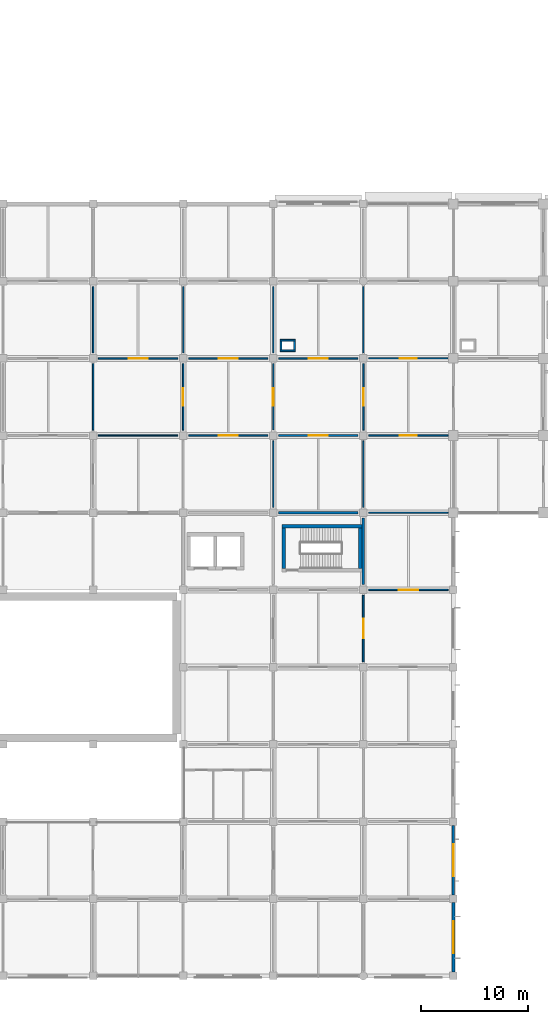
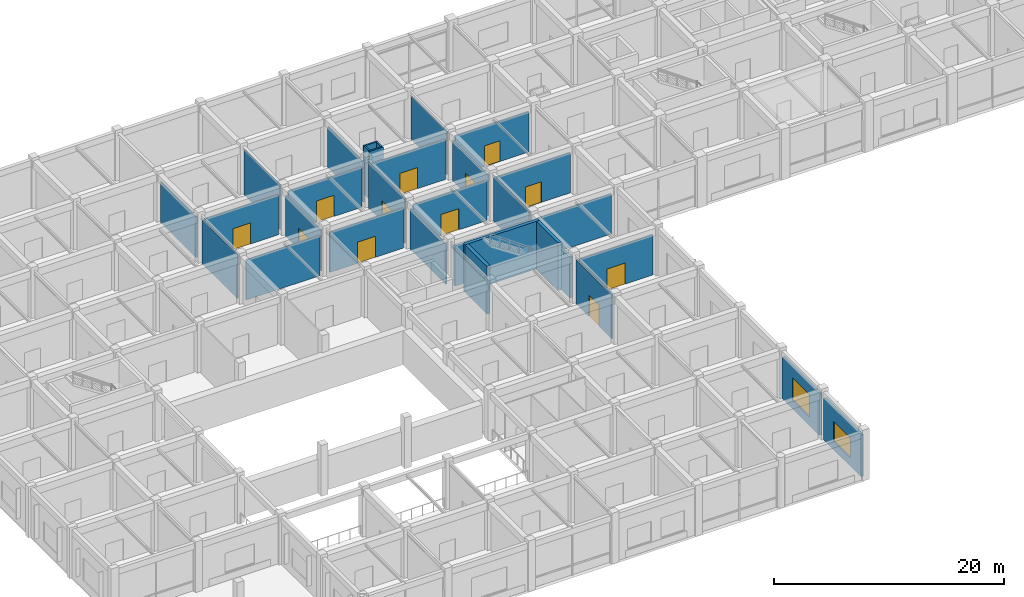
# One storey, part 22 of 41: 32 walls, 12 doors, 2 windows, 14 openings.
"""IFC4 building model written with IfcOpenShell, lengths in metres."""

from ifc_helpers import new_model, si_unit, derived_unit, direction, frame, frame_2d, origin, place, context, subcontext, project, spatial, rectangle, extrude, material, layer, layer_set, type_object, element, fill, save


model = new_model("IFC4")

# Units and contexts
model_context = context("Model", 3, precision=1e-05, world=origin(), true_north=direction((0.0, 1.0)))
body_context = subcontext(model_context, "Body", "Model", "MODEL_VIEW")
ifc_project = project(units=[si_unit("LENGTHUNIT", "METRE"), si_unit("AREAUNIT", "SQUARE_METRE"), si_unit("VOLUMEUNIT", "CUBIC_METRE"), si_unit("PLANEANGLEUNIT", "RADIAN"), si_unit("MASSUNIT", "GRAM", prefix="KILO"), derived_unit("THERMALTRANSMITTANCEUNIT", [(si_unit("MASSUNIT", "GRAM", prefix="KILO"), 1), (si_unit("TIMEUNIT", "SECOND"), -3), (si_unit("THERMODYNAMICTEMPERATUREUNIT", "KELVIN"), -1)])], contexts=[model_context])

# Site, building, storey
site_placement = place(None, origin())
site = spatial("IfcSite", under=ifc_project, at=site_placement, CompositionType="ELEMENT")
building_placement = place(site_placement, origin())
building = spatial("IfcBuilding", under=site, at=building_placement, Name="Veldstrom Oceanarium and Marine Research Institute", CompositionType="ELEMENT")
storey_placement = place(building_placement, frame((0.0, 0.0, 6.0)))
storey = spatial("IfcBuildingStorey", under=building, at=storey_placement, Name="L01", CompositionType="ELEMENT", Elevation=6.0)

# Wall, opening, window
ifc_material_1 = material(Name="Masonry Cavity Wall", Category="masonry")
ifc_layer_1 = layer(ifc_material_1, 0.27001953125)
ifc_layer_set_1 = layer_set([ifc_layer_1], Name="ARC-WAL-EW3")
wall_type_1 = type_object("IfcWallType", Name="ARC-WAL-EW3", PredefinedType="SOLIDWALL", material=ifc_layer_set_1)
wall_1_placement = place(storey_placement, frame((67.199951171875, 0.35009765625, 0.0), z_axis=(0.0, 0.0, 1.0), x_axis=(0.0, 1.0, 0.0)))
wall_1 = element("IfcWall", 1, at=wall_1_placement, inside=storey, type_object=wall_type_1, Name="Exterior Facade Wall EW3 L01-084", PredefinedType="SOLIDWALL", context=body_context, shape_type="SweptSolid", body=[
    extrude(rectangle(XDim=6.5, YDim=0.27001953125, at=frame_2d((3.25, 0.0))), origin(), (0.0, 0.0, 1.0), 4.419921875),
])
opening_1_placement = place(wall_1_placement, frame((1.75, 0.0, 0.89990234375)))
opening_1 = element("IfcOpeningElement", 2, at=opening_1_placement, cuts=wall_1, Name="Opening W07", PredefinedType="OPENING", context=body_context, shape_type="SweptSolid", body=[
    extrude(rectangle(XDim=3.0, YDim=2.10009765625, at=frame_2d((1.5, 1.050048828125))), frame((0.0, 0.14501953125, 0.0), z_axis=(0.0, -1.0, 0.0), x_axis=(1.0, 0.0, 0.0)), (0.0, 0.0, 1.0), 0.2900390625),
])
ifc_material_2 = material(Name="Double Glazed Low-E IGU", Category="glass")
window_type_1 = type_object("IfcWindowType", Name="ARC-WIN-W07", PartitioningType="SINGLE_PANEL", PredefinedType="WINDOW", material=ifc_material_2)
window_1_placement = place(opening_1_placement, origin())
window_1 = element("IfcWindow", 3, at=window_1_placement, inside=storey, type_object=window_type_1, Name="Facade Window W07 L01-0053", OverallHeight=2.10009765625, OverallWidth=3.0, PartitioningType="SINGLE_PANEL", PredefinedType="WINDOW", context=body_context, shape_type="SweptSolid", body=[
    extrude(rectangle(XDim=3.0, YDim=2.10009765625, at=frame_2d((1.5, 1.050048828125))), frame((0.0, 0.030029296875, 0.0), z_axis=(0.0, -1.0, 0.0), x_axis=(1.0, 0.0, 0.0)), (0.0, 0.0, 1.0), 0.06005859375),
])
fill(opening_1, window_1)

ifc_material_3 = material(Name="Masonry Cavity Wall", Category="masonry")
ifc_layer_2 = layer(ifc_material_3, 0.25)
ifc_layer_set_2 = layer_set([ifc_layer_2], Name="ARC-WAL-EW5")
wall_type_2 = type_object("IfcWallType", Name="ARC-WAL-EW5", PredefinedType="SOLIDWALL", material=ifc_layer_set_2)
wall_2_placement = place(storey_placement, frame((67.199951171875, 7.550048828125, 0.0), z_axis=(0.0, 0.0, 1.0), x_axis=(0.0, 1.0, 0.0)))
wall_2 = element("IfcWall", 4, at=wall_2_placement, inside=storey, type_object=wall_type_2, Name="Exterior Facade Wall EW5 L01-085", PredefinedType="SOLIDWALL", context=body_context, shape_type="SweptSolid", body=[
    extrude(rectangle(XDim=6.5, YDim=0.25, at=frame_2d((3.25, 0.0))), origin(), (0.0, 0.0, 1.0), 4.419921875),
])
opening_2_placement = place(wall_2_placement, frame((1.75, 0.0, 0.89990234375)))
opening_2 = element("IfcOpeningElement", 5, at=opening_2_placement, cuts=wall_2, Name="Opening W12", PredefinedType="OPENING", context=body_context, shape_type="SweptSolid", body=[
    extrude(rectangle(XDim=3.0, YDim=2.39990234375, at=frame_2d((1.5, 1.199951171875))), frame((0.0, 0.135009765625, 0.0), z_axis=(0.0, -1.0, 0.0), x_axis=(1.0, 0.0, 0.0)), (0.0, 0.0, 1.0), 0.27001953125),
])
ifc_material_4 = material(Name="Double Glazed Low-E IGU", Category="glass")
window_type_2 = type_object("IfcWindowType", Name="ARC-WIN-W12", PartitioningType="SINGLE_PANEL", PredefinedType="WINDOW", material=ifc_material_4)
window_2_placement = place(opening_2_placement, origin())
window_2 = element("IfcWindow", 6, at=window_2_placement, inside=storey, type_object=window_type_2, Name="Facade Window W12 L01-0054", OverallHeight=2.39990234375, OverallWidth=3.0, PartitioningType="SINGLE_PANEL", PredefinedType="WINDOW", context=body_context, shape_type="SweptSolid", body=[
    extrude(rectangle(XDim=3.0, YDim=2.39990234375, at=frame_2d((1.5, 1.199951171875))), frame((0.0, 0.030029296875, 0.0), z_axis=(0.0, -1.0, 0.0), x_axis=(1.0, 0.0, 0.0)), (0.0, 0.0, 1.0), 0.06005859375),
])
fill(opening_2, window_2)

# Walls
ifc_material_5 = material(Name="Masonry Fire Compartment Wall", Category="masonry")
ifc_layer_3 = layer(ifc_material_5, 0.22998046875)
ifc_layer_set_3 = layer_set([ifc_layer_3], Name="ARC-WAL-PT1")
wall_type_3 = type_object("IfcWallType", Name="ARC-WAL-PT1", PredefinedType="PARTITIONING", material=ifc_layer_set_3)
wall_3_placement = place(storey_placement, frame((58.800048828125, 36.5, 0.0), z_axis=(0.0, 0.0, 1.0), x_axis=(0.0, 1.0, 0.0)))
element("IfcWall", 7, at=wall_3_placement, inside=storey, type_object=wall_type_3, Name="Interior Partition PT1 L01-0921", PredefinedType="PARTITIONING", context=body_context, shape_type="SweptSolid", body=[
    extrude(rectangle(XDim=6.199951171875, YDim=0.22998046875, at=frame_2d((3.10009765625, 0.0))), origin(), (0.0, 0.0, 1.0), 4.320068359375),
])
wall_4_placement = place(storey_placement, frame((50.89990234375, 43.199951171875, 0.0), z_axis=(0.0, 0.0, 1.0), x_axis=(1.0, 0.0, 0.0)))
element("IfcWall", 8, at=wall_4_placement, inside=storey, type_object=wall_type_3, Name="Interior Partition PT1 L01-0922", PredefinedType="PARTITIONING", context=body_context, shape_type="SweptSolid", body=[
    extrude(rectangle(XDim=7.400146484375, YDim=0.22998046875, at=frame_2d((3.7001953125, 0.0))), origin(), (0.0, 0.0, 1.0), 4.27001953125),
])

# Wall, opening, door
ifc_material_6 = material(Name="Drywall Corridor Partition", Category="gypsum")
ifc_layer_4 = layer(ifc_material_6, 0.155029296875)
ifc_layer_set_4 = layer_set([ifc_layer_4], Name="ARC-WAL-PT4")
wall_type_4 = type_object("IfcWallType", Name="ARC-WAL-PT4", PredefinedType="PARTITIONING", material=ifc_layer_set_4)
wall_5_placement = place(storey_placement, frame((50.39990234375, 50.89990234375, 0.0), z_axis=(0.0, 0.0, 1.0), x_axis=(0.0, 1.0, 0.0)))
wall_5 = element("IfcWall", 9, at=wall_5_placement, inside=storey, type_object=wall_type_4, Name="Interior Partition PT4 L01-0906", PredefinedType="PARTITIONING", context=body_context, shape_type="SweptSolid", body=[
    extrude(rectangle(XDim=6.2001953125, YDim=0.155029296875, at=frame_2d((3.10009765625, 0.0))), origin(), (0.0, 0.0, 1.0), 4.780029296875),
])
opening_3_placement = place(wall_5_placement, frame((2.300048828125, 0.0, 0.0)))
opening_3 = element("IfcOpeningElement", 10, at=opening_3_placement, cuts=wall_5, Name="Opening D-L01-523", PredefinedType="OPENING", context=body_context, shape_type="SweptSolid", body=[
    extrude(rectangle(XDim=1.60009765625, YDim=2.199951171875, at=frame_2d((0.800048828125, 1.10009765625))), frame((0.0, 0.08740234375, 0.0), z_axis=(0.0, -1.0, 0.0), x_axis=(1.0, 0.0, 0.0)), (0.0, 0.0, 1.0), 0.175048828125),
])
ifc_material_7 = material(Name="Acoustic Timber Corridor Door", Category="wood")
door_type_1 = type_object("IfcDoorType", Name="ARC-DOR-ID02", OperationType="DOUBLE_DOOR_SINGLE_SWING", PredefinedType="DOOR", material=ifc_material_7)
door_1_placement = place(opening_3_placement, origin())
door_1 = element("IfcDoor", 11, at=door_1_placement, inside=storey, type_object=door_type_1, Name="Interior Door D-L01-523", OperationType="DOUBLE_DOOR_SINGLE_SWING", OverallHeight=2.199951171875, OverallWidth=1.60009765625, PredefinedType="DOOR", context=body_context, shape_type="SweptSolid", body=[
    extrude(rectangle(XDim=1.60009765625, YDim=2.199951171875, at=frame_2d((0.800048828125, 1.10009765625))), frame((0.0, 0.02490234375, 0.0), z_axis=(0.0, -1.0, 0.0), x_axis=(1.0, 0.0, 0.0)), (0.0, 0.0, 1.0), 0.050048828125),
])
fill(opening_3, door_1)

wall_6_placement = place(storey_placement, frame((42.5, 57.60009765625, 0.0), z_axis=(0.0, 0.0, 1.0), x_axis=(1.0, 0.0, 0.0)))
wall_6 = element("IfcWall", 12, at=wall_6_placement, inside=storey, type_object=wall_type_4, Name="Interior Partition PT4 L01-0907", PredefinedType="PARTITIONING", context=body_context, shape_type="SweptSolid", body=[
    extrude(rectangle(XDim=7.39990234375, YDim=0.155029296875, at=frame_2d((3.699951171875, 0.0))), origin(), (0.0, 0.0, 1.0), 4.27001953125),
])
opening_4_placement = place(wall_6_placement, frame((2.800048828125, 0.0, 0.0)))
opening_4 = element("IfcOpeningElement", 13, at=opening_4_placement, cuts=wall_6, Name="Opening D-L01-524", PredefinedType="OPENING", context=body_context, shape_type="SweptSolid", body=[
    extrude(rectangle(XDim=1.800048828125, YDim=2.25, at=frame_2d((0.89990234375, 1.125))), frame((0.0, 0.08740234375, 0.0), z_axis=(0.0, -1.0, 0.0), x_axis=(1.0, 0.0, 0.0)), (0.0, 0.0, 1.0), 0.175048828125),
])
ifc_material_8 = material(Name="Acoustic Timber Gallery Door", Category="wood")
door_type_2 = type_object("IfcDoorType", Name="ARC-DOR-ID01", OperationType="DOUBLE_DOOR_SINGLE_SWING", PredefinedType="DOOR", material=ifc_material_8)
door_2_placement = place(opening_4_placement, frame((1.800048828125, 0.0, 0.0), z_axis=(0.0, 0.0, 1.0), x_axis=(-1.0, 0.0, 0.0)))
door_2 = element("IfcDoor", 14, at=door_2_placement, inside=storey, type_object=door_type_2, Name="Interior Door D-L01-524", OperationType="DOUBLE_DOOR_SINGLE_SWING", OverallHeight=2.25, OverallWidth=1.800048828125, PredefinedType="DOOR", context=body_context, shape_type="SweptSolid", body=[
    extrude(rectangle(XDim=1.800048828125, YDim=2.25, at=frame_2d((0.89990234375, 1.125))), frame((0.0, 0.02490234375, 0.0), z_axis=(0.0, -1.0, 0.0), x_axis=(1.0, 0.0, 0.0)), (0.0, 0.0, 1.0), 0.050048828125),
])
fill(opening_4, door_2)

wall_7_placement = place(storey_placement, frame((58.800048828125, 29.300048828125, 0.0), z_axis=(0.0, 0.0, 1.0), x_axis=(0.0, 1.0, 0.0)))
wall_7 = element("IfcWall", 15, at=wall_7_placement, inside=storey, type_object=wall_type_4, Name="Interior Partition PT4 L01-0919", PredefinedType="PARTITIONING", context=body_context, shape_type="SweptSolid", body=[
    extrude(rectangle(XDim=6.199951171875, YDim=0.155029296875, at=frame_2d((3.10009765625, 0.0))), origin(), (0.0, 0.0, 1.0), 4.669921875),
])
opening_5_placement = place(wall_7_placement, frame((2.199951171875, 0.0, 0.0)))
opening_5 = element("IfcOpeningElement", 16, at=opening_5_placement, cuts=wall_7, Name="Opening D-L01-530", PredefinedType="OPENING", context=body_context, shape_type="SweptSolid", body=[
    extrude(rectangle(XDim=1.800048828125, YDim=2.25, at=frame_2d((0.89990234375, 1.125))), frame((0.0, 0.08740234375, 0.0), z_axis=(0.0, -1.0, 0.0), x_axis=(1.0, 0.0, 0.0)), (0.0, 0.0, 1.0), 0.175048828125),
])
door_3_placement = place(opening_5_placement, origin())
door_3 = element("IfcDoor", 17, at=door_3_placement, inside=storey, type_object=door_type_2, Name="Interior Door D-L01-530", OperationType="DOUBLE_DOOR_SINGLE_SWING", OverallHeight=2.25, OverallWidth=1.800048828125, PredefinedType="DOOR", context=body_context, shape_type="SweptSolid", body=[
    extrude(rectangle(XDim=1.800048828125, YDim=2.25, at=frame_2d((0.89990234375, 1.125))), frame((0.0, 0.02490234375, 0.0), z_axis=(0.0, -1.0, 0.0), x_axis=(1.0, 0.0, 0.0)), (0.0, 0.0, 1.0), 0.050048828125),
])
fill(opening_5, door_3)

wall_8_placement = place(storey_placement, frame((50.89990234375, 50.39990234375, 0.0), z_axis=(0.0, 0.0, 1.0), x_axis=(1.0, 0.0, 0.0)))
wall_8 = element("IfcWall", 18, at=wall_8_placement, inside=storey, type_object=wall_type_4, Name="Interior Partition PT4 L01-0924", PredefinedType="PARTITIONING", context=body_context, shape_type="SweptSolid", body=[
    extrude(rectangle(XDim=7.400146484375, YDim=0.155029296875, at=frame_2d((3.7001953125, 0.0))), origin(), (0.0, 0.0, 1.0), 4.27001953125),
])
opening_6_placement = place(wall_8_placement, frame((2.800048828125, 0.0, 0.0)))
opening_6 = element("IfcOpeningElement", 19, at=opening_6_placement, cuts=wall_8, Name="Opening D-L01-532", PredefinedType="OPENING", context=body_context, shape_type="SweptSolid", body=[
    extrude(rectangle(XDim=1.800048828125, YDim=2.25, at=frame_2d((0.89990234375, 1.125))), frame((0.0, 0.08740234375, 0.0), z_axis=(0.0, -1.0, 0.0), x_axis=(1.0, 0.0, 0.0)), (0.0, 0.0, 1.0), 0.175048828125),
])
door_4_placement = place(opening_6_placement, frame((1.800048828125, 0.0, 0.0), z_axis=(0.0, 0.0, 1.0), x_axis=(-1.0, 0.0, 0.0)))
door_4 = element("IfcDoor", 20, at=door_4_placement, inside=storey, type_object=door_type_2, Name="Interior Door D-L01-532", OperationType="DOUBLE_DOOR_SINGLE_SWING", OverallHeight=2.25, OverallWidth=1.800048828125, PredefinedType="DOOR", context=body_context, shape_type="SweptSolid", body=[
    extrude(rectangle(XDim=1.800048828125, YDim=2.25, at=frame_2d((0.89990234375, 1.125))), frame((0.0, 0.02490234375, 0.0), z_axis=(0.0, -1.0, 0.0), x_axis=(1.0, 0.0, 0.0)), (0.0, 0.0, 1.0), 0.050048828125),
])
fill(opening_6, door_4)

wall_9_placement = place(storey_placement, frame((59.300048828125, 57.60009765625, 0.0), z_axis=(0.0, 0.0, 1.0), x_axis=(1.0, 0.0, 0.0)))
wall_9 = element("IfcWall", 21, at=wall_9_placement, inside=storey, type_object=wall_type_4, Name="Interior Partition PT4 L01-0939", PredefinedType="PARTITIONING", context=body_context, shape_type="SweptSolid", body=[
    extrude(rectangle(XDim=7.39990234375, YDim=0.155029296875, at=frame_2d((3.699951171875, 0.0))), origin(), (0.0, 0.0, 1.0), 4.27001953125),
])
opening_7_placement = place(wall_9_placement, frame((2.89990234375, 0.0, 0.0)))
opening_7 = element("IfcOpeningElement", 22, at=opening_7_placement, cuts=wall_9, Name="Opening D-L01-543", PredefinedType="OPENING", context=body_context, shape_type="SweptSolid", body=[
    extrude(rectangle(XDim=1.60009765625, YDim=2.199951171875, at=frame_2d((0.800048828125, 1.10009765625))), frame((0.0, 0.08740234375, 0.0), z_axis=(0.0, -1.0, 0.0), x_axis=(1.0, 0.0, 0.0)), (0.0, 0.0, 1.0), 0.175048828125),
])
door_5_placement = place(opening_7_placement, frame((1.60009765625, 0.0, 0.0), z_axis=(0.0, 0.0, 1.0), x_axis=(-1.0, 0.0, 0.0)))
door_5 = element("IfcDoor", 23, at=door_5_placement, inside=storey, type_object=door_type_1, Name="Interior Door D-L01-543", OperationType="DOUBLE_DOOR_SINGLE_SWING", OverallHeight=2.199951171875, OverallWidth=1.60009765625, PredefinedType="DOOR", context=body_context, shape_type="SweptSolid", body=[
    extrude(rectangle(XDim=1.60009765625, YDim=2.199951171875, at=frame_2d((0.800048828125, 1.10009765625))), frame((0.0, 0.02490234375, 0.0), z_axis=(0.0, -1.0, 0.0), x_axis=(1.0, 0.0, 0.0)), (0.0, 0.0, 1.0), 0.050048828125),
])
fill(opening_7, door_5)

ifc_material_9 = material(Name="Moisture-Resistant Wet-Area Partition", Category="masonry")
ifc_layer_5 = layer(ifc_material_9, 0.139892578125)
ifc_layer_set_5 = layer_set([ifc_layer_5], Name="ARC-WAL-PT5")
wall_type_5 = type_object("IfcWallType", Name="ARC-WAL-PT5", PredefinedType="PARTITIONING", material=ifc_layer_set_5)
wall_10_placement = place(storey_placement, frame((42.0, 50.89990234375, 0.0), z_axis=(0.0, 0.0, 1.0), x_axis=(0.0, 1.0, 0.0)))
wall_10 = element("IfcWall", 24, at=wall_10_placement, inside=storey, type_object=wall_type_5, Name="Interior Partition PT5 L01-0887", PredefinedType="PARTITIONING", context=body_context, shape_type="SweptSolid", body=[
    extrude(rectangle(XDim=6.2001953125, YDim=0.139892578125, at=frame_2d((3.10009765625, 0.0))), origin(), (0.0, 0.0, 1.0), 4.320068359375),
])
opening_8_placement = place(wall_10_placement, frame((2.300048828125, 0.0, 0.0)))
opening_8 = element("IfcOpeningElement", 25, at=opening_8_placement, cuts=wall_10, Name="Opening D-L01-513", PredefinedType="OPENING", context=body_context, shape_type="SweptSolid", body=[
    extrude(rectangle(XDim=1.60009765625, YDim=2.199951171875, at=frame_2d((0.800048828125, 1.10009765625))), frame((0.0, 0.079833984375, 0.0), z_axis=(0.0, -1.0, 0.0), x_axis=(1.0, 0.0, 0.0)), (0.0, 0.0, 1.0), 0.159912109375),
])
door_6_placement = place(opening_8_placement, frame((1.60009765625, 0.0, 0.0), z_axis=(0.0, 0.0, 1.0), x_axis=(-1.0, 0.0, 0.0)))
door_6 = element("IfcDoor", 26, at=door_6_placement, inside=storey, type_object=door_type_1, Name="Interior Door D-L01-513", OperationType="DOUBLE_DOOR_SINGLE_SWING", OverallHeight=2.199951171875, OverallWidth=1.60009765625, PredefinedType="DOOR", context=body_context, shape_type="SweptSolid", body=[
    extrude(rectangle(XDim=1.60009765625, YDim=2.199951171875, at=frame_2d((0.800048828125, 1.10009765625))), frame((0.0, 0.02490234375, 0.0), z_axis=(0.0, -1.0, 0.0), x_axis=(1.0, 0.0, 0.0)), (0.0, 0.0, 1.0), 0.050048828125),
])
fill(opening_8, door_6)

wall_11_placement = place(storey_placement, frame((34.10009765625, 57.60009765625, 0.0), z_axis=(0.0, 0.0, 1.0), x_axis=(1.0, 0.0, 0.0)))
wall_11 = element("IfcWall", 27, at=wall_11_placement, inside=storey, type_object=wall_type_5, Name="Interior Partition PT5 L01-0888", PredefinedType="PARTITIONING", context=body_context, shape_type="SweptSolid", body=[
    extrude(rectangle(XDim=7.39990234375, YDim=0.139892578125, at=frame_2d((3.699951171875, 0.0))), origin(), (0.0, 0.0, 1.0), 4.27001953125),
])
opening_9_placement = place(wall_11_placement, frame((2.800048828125, 0.0, 0.0)))
opening_9 = element("IfcOpeningElement", 28, at=opening_9_placement, cuts=wall_11, Name="Opening D-L01-514", PredefinedType="OPENING", context=body_context, shape_type="SweptSolid", body=[
    extrude(rectangle(XDim=1.800048828125, YDim=2.25, at=frame_2d((0.89990234375, 1.125))), frame((0.0, 0.079833984375, 0.0), z_axis=(0.0, -1.0, 0.0), x_axis=(1.0, 0.0, 0.0)), (0.0, 0.0, 1.0), 0.159912109375),
])
door_7_placement = place(opening_9_placement, origin())
door_7 = element("IfcDoor", 29, at=door_7_placement, inside=storey, type_object=door_type_2, Name="Interior Door D-L01-514", OperationType="DOUBLE_DOOR_SINGLE_SWING", OverallHeight=2.25, OverallWidth=1.800048828125, PredefinedType="DOOR", context=body_context, shape_type="SweptSolid", body=[
    extrude(rectangle(XDim=1.800048828125, YDim=2.25, at=frame_2d((0.89990234375, 1.125))), frame((0.0, 0.02490234375, 0.0), z_axis=(0.0, -1.0, 0.0), x_axis=(1.0, 0.0, 0.0)), (0.0, 0.0, 1.0), 0.050048828125),
])
fill(opening_9, door_7)

wall_12_placement = place(storey_placement, frame((42.5, 50.39990234375, 0.0), z_axis=(0.0, 0.0, 1.0), x_axis=(1.0, 0.0, 0.0)))
wall_12 = element("IfcWall", 30, at=wall_12_placement, inside=storey, type_object=wall_type_5, Name="Interior Partition PT5 L01-0905", PredefinedType="PARTITIONING", context=body_context, shape_type="SweptSolid", body=[
    extrude(rectangle(XDim=7.39990234375, YDim=0.139892578125, at=frame_2d((3.699951171875, 0.0))), origin(), (0.0, 0.0, 1.0), 4.27001953125),
])
opening_10_placement = place(wall_12_placement, frame((2.800048828125, 0.0, 0.0)))
opening_10 = element("IfcOpeningElement", 31, at=opening_10_placement, cuts=wall_12, Name="Opening D-L01-522", PredefinedType="OPENING", context=body_context, shape_type="SweptSolid", body=[
    extrude(rectangle(XDim=1.800048828125, YDim=2.25, at=frame_2d((0.89990234375, 1.125))), frame((0.0, 0.079833984375, 0.0), z_axis=(0.0, -1.0, 0.0), x_axis=(1.0, 0.0, 0.0)), (0.0, 0.0, 1.0), 0.159912109375),
])
door_8_placement = place(opening_10_placement, origin())
door_8 = element("IfcDoor", 32, at=door_8_placement, inside=storey, type_object=door_type_2, Name="Interior Door D-L01-522", OperationType="DOUBLE_DOOR_SINGLE_SWING", OverallHeight=2.25, OverallWidth=1.800048828125, PredefinedType="DOOR", context=body_context, shape_type="SweptSolid", body=[
    extrude(rectangle(XDim=1.800048828125, YDim=2.25, at=frame_2d((0.89990234375, 1.125))), frame((0.0, 0.02490234375, 0.0), z_axis=(0.0, -1.0, 0.0), x_axis=(1.0, 0.0, 0.0)), (0.0, 0.0, 1.0), 0.050048828125),
])
fill(opening_10, door_8)

wall_13_placement = place(storey_placement, frame((58.800048828125, 50.89990234375, 0.0), z_axis=(0.0, 0.0, 1.0), x_axis=(0.0, 1.0, 0.0)))
wall_13 = element("IfcWall", 33, at=wall_13_placement, inside=storey, type_object=wall_type_5, Name="Interior Partition PT5 L01-0925", PredefinedType="PARTITIONING", context=body_context, shape_type="SweptSolid", body=[
    extrude(rectangle(XDim=6.2001953125, YDim=0.139892578125, at=frame_2d((3.10009765625, 0.0))), origin(), (0.0, 0.0, 1.0), 4.320068359375),
])
opening_11_placement = place(wall_13_placement, frame((2.300048828125, 0.0, 0.0)))
opening_11 = element("IfcOpeningElement", 34, at=opening_11_placement, cuts=wall_13, Name="Opening D-L01-533", PredefinedType="OPENING", context=body_context, shape_type="SweptSolid", body=[
    extrude(rectangle(XDim=1.60009765625, YDim=2.199951171875, at=frame_2d((0.800048828125, 1.10009765625))), frame((0.0, 0.079833984375, 0.0), z_axis=(0.0, -1.0, 0.0), x_axis=(1.0, 0.0, 0.0)), (0.0, 0.0, 1.0), 0.159912109375),
])
door_9_placement = place(opening_11_placement, frame((1.60009765625, 0.0, 0.0), z_axis=(0.0, 0.0, 1.0), x_axis=(-1.0, 0.0, 0.0)))
door_9 = element("IfcDoor", 35, at=door_9_placement, inside=storey, type_object=door_type_1, Name="Interior Door D-L01-533", OperationType="DOUBLE_DOOR_SINGLE_SWING", OverallHeight=2.199951171875, OverallWidth=1.60009765625, PredefinedType="DOOR", context=body_context, shape_type="SweptSolid", body=[
    extrude(rectangle(XDim=1.60009765625, YDim=2.199951171875, at=frame_2d((0.800048828125, 1.10009765625))), frame((0.0, 0.02490234375, 0.0), z_axis=(0.0, -1.0, 0.0), x_axis=(1.0, 0.0, 0.0)), (0.0, 0.0, 1.0), 0.050048828125),
])
fill(opening_11, door_9)

wall_14_placement = place(storey_placement, frame((50.89990234375, 57.60009765625, 0.0), z_axis=(0.0, 0.0, 1.0), x_axis=(1.0, 0.0, 0.0)))
wall_14 = element("IfcWall", 36, at=wall_14_placement, inside=storey, type_object=wall_type_5, Name="Interior Partition PT5 L01-0926", PredefinedType="PARTITIONING", context=body_context, shape_type="SweptSolid", body=[
    extrude(rectangle(XDim=7.400146484375, YDim=0.139892578125, at=frame_2d((3.7001953125, 0.0))), origin(), (0.0, 0.0, 1.0), 4.27001953125),
])
opening_12_placement = place(wall_14_placement, frame((2.800048828125, 0.0, 0.0)))
opening_12 = element("IfcOpeningElement", 37, at=opening_12_placement, cuts=wall_14, Name="Opening D-L01-534", PredefinedType="OPENING", context=body_context, shape_type="SweptSolid", body=[
    extrude(rectangle(XDim=1.800048828125, YDim=2.25, at=frame_2d((0.89990234375, 1.125))), frame((0.0, 0.079833984375, 0.0), z_axis=(0.0, -1.0, 0.0), x_axis=(1.0, 0.0, 0.0)), (0.0, 0.0, 1.0), 0.159912109375),
])
door_10_placement = place(opening_12_placement, origin())
door_10 = element("IfcDoor", 38, at=door_10_placement, inside=storey, type_object=door_type_2, Name="Interior Door D-L01-534", OperationType="DOUBLE_DOOR_SINGLE_SWING", OverallHeight=2.25, OverallWidth=1.800048828125, PredefinedType="DOOR", context=body_context, shape_type="SweptSolid", body=[
    extrude(rectangle(XDim=1.800048828125, YDim=2.25, at=frame_2d((0.89990234375, 1.125))), frame((0.0, 0.02490234375, 0.0), z_axis=(0.0, -1.0, 0.0), x_axis=(1.0, 0.0, 0.0)), (0.0, 0.0, 1.0), 0.050048828125),
])
fill(opening_12, door_10)

wall_15_placement = place(storey_placement, frame((59.300048828125, 36.0, 0.0), z_axis=(0.0, 0.0, 1.0), x_axis=(1.0, 0.0, 0.0)))
wall_15 = element("IfcWall", 39, at=wall_15_placement, inside=storey, type_object=wall_type_5, Name="Interior Partition PT5 L01-0934", PredefinedType="PARTITIONING", context=body_context, shape_type="SweptSolid", body=[
    extrude(rectangle(XDim=7.39990234375, YDim=0.139892578125, at=frame_2d((3.699951171875, 0.0))), origin(), (0.0, 0.0, 1.0), 4.27001953125),
])
opening_13_placement = place(wall_15_placement, frame((2.800048828125, 0.0, 0.0)))
opening_13 = element("IfcOpeningElement", 40, at=opening_13_placement, cuts=wall_15, Name="Opening D-L01-540", PredefinedType="OPENING", context=body_context, shape_type="SweptSolid", body=[
    extrude(rectangle(XDim=1.800048828125, YDim=2.25, at=frame_2d((0.89990234375, 1.125))), frame((0.0, 0.079833984375, 0.0), z_axis=(0.0, -1.0, 0.0), x_axis=(1.0, 0.0, 0.0)), (0.0, 0.0, 1.0), 0.159912109375),
])
door_11_placement = place(opening_13_placement, origin())
door_11 = element("IfcDoor", 41, at=door_11_placement, inside=storey, type_object=door_type_2, Name="Interior Door D-L01-540", OperationType="DOUBLE_DOOR_SINGLE_SWING", OverallHeight=2.25, OverallWidth=1.800048828125, PredefinedType="DOOR", context=body_context, shape_type="SweptSolid", body=[
    extrude(rectangle(XDim=1.800048828125, YDim=2.25, at=frame_2d((0.89990234375, 1.125))), frame((0.0, 0.02490234375, 0.0), z_axis=(0.0, -1.0, 0.0), x_axis=(1.0, 0.0, 0.0)), (0.0, 0.0, 1.0), 0.050048828125),
])
fill(opening_13, door_11)

wall_16_placement = place(storey_placement, frame((59.300048828125, 50.39990234375, 0.0), z_axis=(0.0, 0.0, 1.0), x_axis=(1.0, 0.0, 0.0)))
wall_16 = element("IfcWall", 42, at=wall_16_placement, inside=storey, type_object=wall_type_5, Name="Interior Partition PT5 L01-0937", PredefinedType="PARTITIONING", context=body_context, shape_type="SweptSolid", body=[
    extrude(rectangle(XDim=7.39990234375, YDim=0.139892578125, at=frame_2d((3.699951171875, 0.0))), origin(), (0.0, 0.0, 1.0), 4.27001953125),
])
opening_14_placement = place(wall_16_placement, frame((2.89990234375, 0.0, 0.0)))
opening_14 = element("IfcOpeningElement", 43, at=opening_14_placement, cuts=wall_16, Name="Opening D-L01-541", PredefinedType="OPENING", context=body_context, shape_type="SweptSolid", body=[
    extrude(rectangle(XDim=1.60009765625, YDim=2.199951171875, at=frame_2d((0.800048828125, 1.10009765625))), frame((0.0, 0.079833984375, 0.0), z_axis=(0.0, -1.0, 0.0), x_axis=(1.0, 0.0, 0.0)), (0.0, 0.0, 1.0), 0.159912109375),
])
door_12_placement = place(opening_14_placement, origin())
door_12 = element("IfcDoor", 44, at=door_12_placement, inside=storey, type_object=door_type_1, Name="Interior Door D-L01-541", OperationType="DOUBLE_DOOR_SINGLE_SWING", OverallHeight=2.199951171875, OverallWidth=1.60009765625, PredefinedType="DOOR", context=body_context, shape_type="SweptSolid", body=[
    extrude(rectangle(XDim=1.60009765625, YDim=2.199951171875, at=frame_2d((0.800048828125, 1.10009765625))), frame((0.0, 0.02490234375, 0.0), z_axis=(0.0, -1.0, 0.0), x_axis=(1.0, 0.0, 0.0)), (0.0, 0.0, 1.0), 0.050048828125),
])
fill(opening_14, door_12)

# Walls
ifc_material_10 = material(Name="Lightweight Studio Partition", Category="gypsum")
ifc_layer_6 = layer(ifc_material_10, 0.1201171875)
ifc_layer_set_6 = layer_set([ifc_layer_6], Name="ARC-WAL-PT6")
wall_type_6 = type_object("IfcWallType", Name="ARC-WAL-PT6", PredefinedType="PARTITIONING", material=ifc_layer_set_6)
wall_17_placement = place(storey_placement, frame((33.60009765625, 50.89990234375, 0.0), z_axis=(0.0, 0.0, 1.0), x_axis=(0.0, 1.0, 0.0)))
element("IfcWall", 45, at=wall_17_placement, inside=storey, type_object=wall_type_6, Name="Interior Partition PT6 L01-0875", PredefinedType="PARTITIONING", context=body_context, shape_type="SweptSolid", body=[
    extrude(rectangle(XDim=6.2001953125, YDim=0.1201171875, at=frame_2d((3.10009765625, 0.0))), origin(), (0.0, 0.0, 1.0), 4.669921875),
])
wall_18_placement = place(storey_placement, frame((33.60009765625, 58.10009765625, 0.0), z_axis=(0.0, 0.0, 1.0), x_axis=(0.0, 1.0, 0.0)))
element("IfcWall", 46, at=wall_18_placement, inside=storey, type_object=wall_type_6, Name="Interior Partition PT6 L01-0877", PredefinedType="PARTITIONING", context=body_context, shape_type="SweptSolid", body=[
    extrude(rectangle(XDim=6.199951171875, YDim=0.1201171875, at=frame_2d((3.10009765625, 0.0))), origin(), (0.0, 0.0, 1.0), 4.320068359375),
])
wall_19_placement = place(storey_placement, frame((34.10009765625, 50.39990234375, 0.0), z_axis=(0.0, 0.0, 1.0), x_axis=(1.0, 0.0, 0.0)))
element("IfcWall", 47, at=wall_19_placement, inside=storey, type_object=wall_type_6, Name="Interior Partition PT6 L01-0886", PredefinedType="PARTITIONING", context=body_context, shape_type="SweptSolid", body=[
    extrude(rectangle(XDim=7.39990234375, YDim=0.1201171875, at=frame_2d((3.699951171875, 0.0))), origin(), (0.0, 0.0, 1.0), 4.27001953125),
])
wall_20_placement = place(storey_placement, frame((42.0, 58.10009765625, 0.0), z_axis=(0.0, 0.0, 1.0), x_axis=(0.0, 1.0, 0.0)))
element("IfcWall", 48, at=wall_20_placement, inside=storey, type_object=wall_type_6, Name="Interior Partition PT6 L01-0889", PredefinedType="PARTITIONING", context=body_context, shape_type="SweptSolid", body=[
    extrude(rectangle(XDim=6.199951171875, YDim=0.1201171875, at=frame_2d((3.10009765625, 0.0))), origin(), (0.0, 0.0, 1.0), 4.780029296875),
])
for number, where, z_axis, x_axis, name in (
    (49, (50.39990234375, 43.699951171875, 0.0), (0.0, 0.0, 1.0), (0.0, 1.0, 0.0), "Interior Partition PT6 L01-0904"),
    (50, (50.39990234375, 58.10009765625, 0.0), (0.0, 0.0, 1.0), (0.0, 1.0, 0.0), "Interior Partition PT6 L01-0908"),
):
    element("IfcWall", number, at=place(storey_placement, frame(where, z_axis=z_axis, x_axis=x_axis)), inside=storey, type_object=wall_type_6, Name=name, PredefinedType="PARTITIONING", context=body_context, shape_type="SweptSolid", body=[
        extrude(rectangle(XDim=6.199951171875, YDim=0.1201171875, at=frame_2d((3.10009765625, 0.0))), origin(), (0.0, 0.0, 1.0), 4.320068359375),
    ])
wall_21_placement = place(storey_placement, frame((58.800048828125, 43.699951171875, 0.0), z_axis=(0.0, 0.0, 1.0), x_axis=(0.0, 1.0, 0.0)))
element("IfcWall", 51, at=wall_21_placement, inside=storey, type_object=wall_type_6, Name="Interior Partition PT6 L01-0923", PredefinedType="PARTITIONING", context=body_context, shape_type="SweptSolid", body=[
    extrude(rectangle(XDim=6.199951171875, YDim=0.1201171875, at=frame_2d((3.10009765625, 0.0))), origin(), (0.0, 0.0, 1.0), 4.780029296875),
])
wall_22_placement = place(storey_placement, frame((58.800048828125, 58.10009765625, 0.0), z_axis=(0.0, 0.0, 1.0), x_axis=(0.0, 1.0, 0.0)))
element("IfcWall", 52, at=wall_22_placement, inside=storey, type_object=wall_type_6, Name="Interior Partition PT6 L01-0927", PredefinedType="PARTITIONING", context=body_context, shape_type="SweptSolid", body=[
    extrude(rectangle(XDim=6.199951171875, YDim=0.1201171875, at=frame_2d((3.10009765625, 0.0))), origin(), (0.0, 0.0, 1.0), 4.570068359375),
])
wall_23_placement = place(storey_placement, frame((59.300048828125, 43.199951171875, 0.0), z_axis=(0.0, 0.0, 1.0), x_axis=(1.0, 0.0, 0.0)))
element("IfcWall", 53, at=wall_23_placement, inside=storey, type_object=wall_type_6, Name="Interior Partition PT6 L01-0935", PredefinedType="PARTITIONING", context=body_context, shape_type="SweptSolid", body=[
    extrude(rectangle(XDim=7.39990234375, YDim=0.1201171875, at=frame_2d((3.699951171875, 0.0))), origin(), (0.0, 0.0, 1.0), 4.27001953125),
])
ifc_material_11 = material(Name="Service Riser Fire Shaft Wall", Category="masonry")
ifc_layer_7 = layer(ifc_material_11, 0.1650390625)
ifc_layer_set_7 = layer_set([ifc_layer_7], Name="ARC-WAL-PT9")
wall_type_7 = type_object("IfcWallType", Name="ARC-WAL-PT9", PredefinedType="PARTITIONING", material=ifc_layer_set_7)
for number, where, z_axis, x_axis, name in (
    (54, (51.034912109375, 58.3173828125, 0.0), (0.0, 0.0, 1.0), (1.0, 0.0, 0.0), "Service Riser Fire Shaft Wall L01-WN-S"),
    (55, (51.034912109375, 59.282470703125, 0.0), (0.0, 0.0, 1.0), (1.0, 0.0, 0.0), "Service Riser Fire Shaft Wall L01-WN-N"),
):
    element("IfcWall", number, at=place(storey_placement, frame(where, z_axis=z_axis, x_axis=x_axis)), inside=storey, type_object=wall_type_7, Name=name, PredefinedType="PARTITIONING", context=body_context, shape_type="SweptSolid", body=[
        extrude(rectangle(XDim=1.43017578125, YDim=0.1650390625, at=frame_2d((0.715087890625, 0.0))), origin(), (0.0, 0.0, 1.0), 5.074951171875),
    ])
for number, where, z_axis, x_axis, name in (
    (56, (51.117431640625, 58.39990234375, 0.0), (0.0, 0.0, 1.0), (0.0, 1.0, 0.0), "Service Riser Fire Shaft Wall L01-WN-W"),
    (57, (52.382568359375, 58.39990234375, 0.0), (0.0, 0.0, 1.0), (0.0, 1.0, 0.0), "Service Riser Fire Shaft Wall L01-WN-E"),
):
    element("IfcWall", number, at=place(storey_placement, frame(where, z_axis=z_axis, x_axis=x_axis)), inside=storey, type_object=wall_type_7, Name=name, PredefinedType="PARTITIONING", context=body_context, shape_type="SweptSolid", body=[
        extrude(rectangle(XDim=0.800048828125, YDim=0.1650390625, at=frame_2d((0.39990234375, 0.0))), origin(), (0.0, 0.0, 1.0), 5.074951171875),
    ])
ifc_material_12 = material(Name="Concrete C40/50", Category="concrete")
ifc_layer_8 = layer(ifc_material_12, 0.320068359375)
ifc_layer_set_8 = layer_set([ifc_layer_8], Name="STR-WAL-WC3")
wall_type_8 = type_object("IfcWallType", Name="STR-WAL-WC3", PredefinedType="SHEAR", material=ifc_layer_set_8)
wall_24_placement = place(storey_placement, frame((51.199951171875, 41.9599609375, 0.0), z_axis=(0.0, 0.0, 1.0), x_axis=(1.0, 0.0, 0.0)))
element("IfcWall", 58, at=wall_24_placement, inside=storey, type_object=wall_type_8, Name="Stair Core Shear Wall SC5-L01-N", PredefinedType="SHEAR", context=body_context, shape_type="SweptSolid", body=[
    extrude(rectangle(XDim=7.47998046875, YDim=0.320068359375, at=frame_2d((3.739990234375, 0.0))), origin(), (0.0, 0.0, 1.0), 5.074951171875),
])
for number, where, z_axis, x_axis, name in (
    (59, (51.360107421875, 38.0, 0.0), (0.0, 0.0, 1.0), (0.0, 1.0, 0.0), "Stair Core Shear Wall SC5-L01-W"),
    (60, (58.52001953125, 38.0, 0.0), (0.0, 0.0, 1.0), (0.0, 1.0, 0.0), "Stair Core Shear Wall SC5-L01-E"),
):
    element("IfcWall", number, at=place(storey_placement, frame(where, z_axis=z_axis, x_axis=x_axis)), inside=storey, type_object=wall_type_8, Name=name, PredefinedType="SHEAR", context=body_context, shape_type="SweptSolid", body=[
        extrude(rectangle(XDim=3.800048828125, YDim=0.320068359375, at=frame_2d((1.89990234375, 0.0))), origin(), (0.0, 0.0, 1.0), 5.074951171875),
    ])

save(model, "model.ifc")
